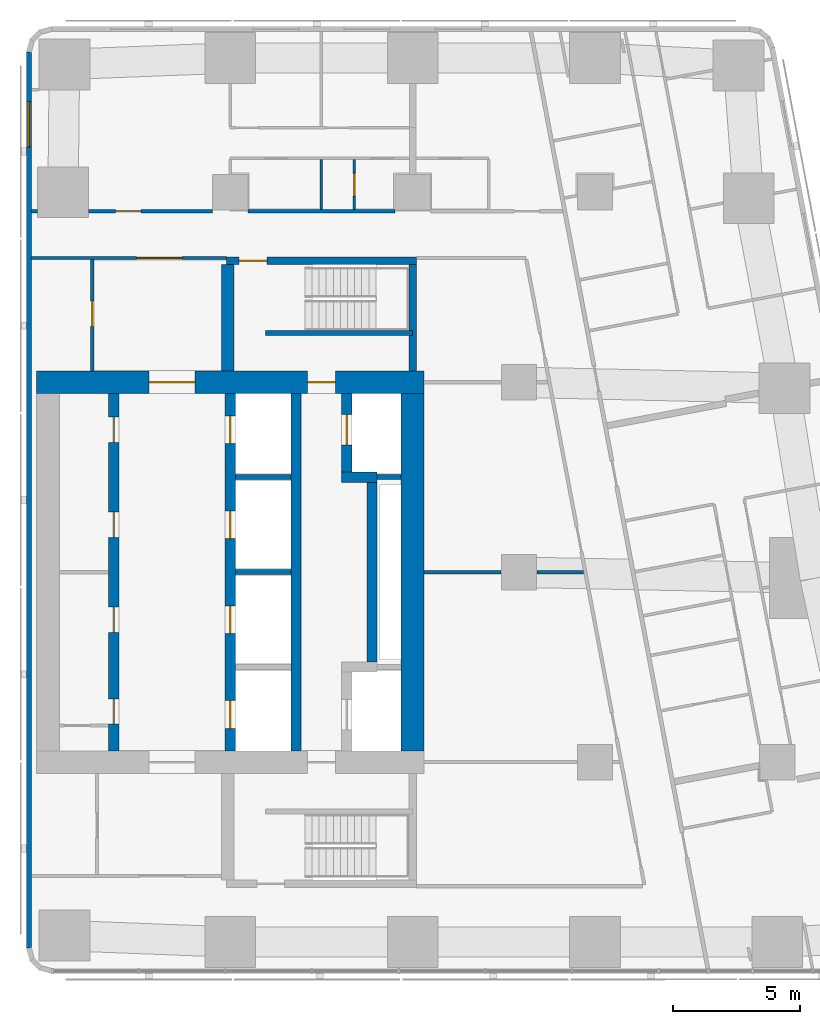
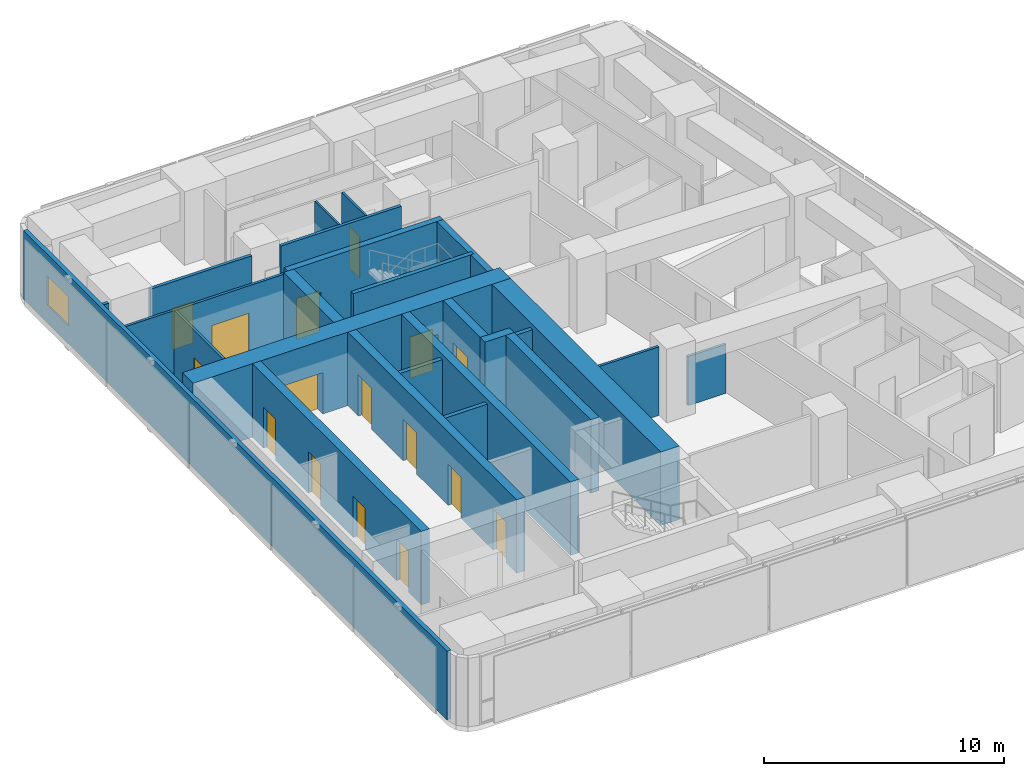
# One storey, part 6 of 11: 25 walls, 16 doors, 1 window, 17 openings.
"""IFC4 building model written with IfcOpenShell, lengths in metres."""

import ifcopenshell
import ifcopenshell.guid

model = None  # the IFC model being written
_history = None  # IfcOwnerHistory: only IFC2X3 demands one
_inside = {}  # id of a spatial element -> (the spatial element, [elements in it])
_under = {}  # id of a project, library or spatial element -> (it, [spatial elements below it])
_declared = {}  # id of a project -> (the project, [libraries it declares])
_typed = {}  # id of a type object -> (the type object, [elements of that type])
_made_of = {}  # id of a material, layer set ... -> (it, [elements and type objects made of it])


def new_model(schema):
    """Start an empty IFC model of exactly this schema.

    Asked for "IFC4X3", IfcOpenShell would pick the latest addendum, in which some entities
    have other attributes; the version numbers below select the first issue.
    IFC2X3 requires an IfcOwnerHistory on every rooted entity: one is made here for all.
    """
    global model, _history
    if schema == "IFC4X3":
        model = ifcopenshell.file(schema_version=(4, 3, 0, 0))
    else:
        model = ifcopenshell.file(schema=schema)
    _inside.clear()
    _under.clear()
    _declared.clear()
    _typed.clear()
    _made_of.clear()
    _history = None
    if model.schema == "IFC2X3":
        org = make("IfcOrganization", Name="unknown")
        user = make(
            "IfcPersonAndOrganization",
            ThePerson=make("IfcPerson", FamilyName="unknown"),
            TheOrganization=org,
        )
        app = make(
            "IfcApplication",
            ApplicationDeveloper=org,
            Version="unknown",
            ApplicationFullName="unknown",
            ApplicationIdentifier="unknown",
        )
        _history = make(
            "IfcOwnerHistory",
            OwningUser=user,
            OwningApplication=app,
            ChangeAction="ADDED",
            CreationDate=0,
        )
    return model


def make(cls, **values):
    """One entity of the class cls with the attributes given. An attribute that is None is left unset."""
    return model.create_entity(
        cls, **{name: value for name, value in values.items() if value is not None}
    )


def rooted(cls, **values):
    """An entity with a GlobalId (a new one), such as an element, a storey or a relation."""
    return make(cls, GlobalId=ifcopenshell.guid.new(), OwnerHistory=_history, **values)


def si_unit(unit_type, name, prefix=None):
    """IfcSIUnit, for example si_unit("LENGTHUNIT", "METRE", prefix="MILLI")."""
    return make("IfcSIUnit", UnitType=unit_type, Prefix=prefix, Name=name)


def assignment(units):
    """IfcUnitAssignment: the units of a project."""
    return None if units is None else make("IfcUnitAssignment", Units=units)


def point(xyz):
    """IfcCartesianPoint."""
    return None if xyz is None else make("IfcCartesianPoint", Coordinates=xyz)


def direction(xyz):
    """IfcDirection."""
    return None if xyz is None else make("IfcDirection", DirectionRatios=xyz)


def frame(location, z_axis=None, x_axis=None):
    """IfcAxis2Placement3D, a coordinate frame: its origin and axes. An axis left out is left unset."""
    return make(
        "IfcAxis2Placement3D",
        Location=point(location),
        Axis=direction(z_axis),
        RefDirection=direction(x_axis),
    )


def frame_2d(location, x_axis=None):
    """IfcAxis2Placement2D, a coordinate frame in the plane: its origin and x axis."""
    return make(
        "IfcAxis2Placement2D", Location=point(location), RefDirection=direction(x_axis)
    )


def origin():
    """The frame at (0, 0, 0) with its axes left unset."""
    return frame((0.0, 0.0, 0.0))


def place(relative_to, where):
    """IfcLocalPlacement: puts the frame where relative to a parent placement (None: the world)."""
    return make(
        "IfcLocalPlacement", PlacementRelTo=relative_to, RelativePlacement=where
    )


def context(
    kind, dimensions, precision=None, world=None, true_north=None, identifier=None
):
    """IfcGeometricRepresentationContext, for example the 3D "Model" context."""
    return make(
        "IfcGeometricRepresentationContext",
        ContextIdentifier=identifier,
        ContextType=kind,
        CoordinateSpaceDimension=dimensions,
        Precision=precision,
        WorldCoordinateSystem=world,
        TrueNorth=true_north,
    )


def subcontext(parent, identifier, kind, view, scale=None):
    """IfcGeometricRepresentationSubContext, for example "Body" below "Model"."""
    return make(
        "IfcGeometricRepresentationSubContext",
        ContextIdentifier=identifier,
        ContextType=kind,
        ParentContext=parent,
        TargetScale=scale,
        TargetView=view,
    )


def project(units=None, contexts=None):
    """IfcProject with its units and contexts."""
    return rooted(
        "IfcProject",
        Name="project",
        RepresentationContexts=contexts,
        UnitsInContext=assignment(units),
    )


def spatial(cls, under=None, at=None, **own):
    """A site, building, storey or space (cls), placed at a placement, below another one or the project."""
    s = rooted(cls, ObjectPlacement=at, **own)
    if under is not None:
        _under.setdefault(under.id(), (under, []))[1].append(s)
    return s


def profile(cls, at=None, kind="AREA", **sizes):
    """A parametric profile (cls). Its sizes go by their IFC names, for example OverallWidth=200.0."""
    return make(cls, ProfileType=kind, Position=at, **sizes)


def rectangle(**sizes):
    """IfcRectangleProfileDef."""
    return profile("IfcRectangleProfileDef", **sizes)


def extrude(swept, where, along, depth):
    """IfcExtrudedAreaSolid: the profile swept, set in the frame where, extruded along a direction by depth."""
    return make(
        "IfcExtrudedAreaSolid",
        SweptArea=swept,
        Position=where,
        ExtrudedDirection=direction(along),
        Depth=depth,
    )


def shape(context_of_items, identifier, shape_type, items):
    """IfcShapeRepresentation: the items that make up one representation, for example the "Body"."""
    return make(
        "IfcShapeRepresentation",
        ContextOfItems=context_of_items,
        RepresentationIdentifier=identifier,
        RepresentationType=shape_type,
        Items=items,
    )


def material(Name=None, Category=None):
    """IfcMaterial."""
    return make("IfcMaterial", Name=Name, Category=Category)


def layer(
    of_material, thickness, ventilated=None, Name=None, Category=None, Priority=None
):
    """IfcMaterialLayer: one layer of a wall or slab, of a material (None: an air gap)."""
    return make(
        "IfcMaterialLayer",
        Material=of_material,
        LayerThickness=thickness,
        IsVentilated=ventilated,
        Name=Name,
        Category=Category,
        Priority=Priority,
    )


def layer_set(layers, Name=None):
    """IfcMaterialLayerSet."""
    return make("IfcMaterialLayerSet", MaterialLayers=layers, LayerSetName=Name)


def made_of(thing, what):
    """Note that an element or type object is made of a material, layer set ...; save() writes the relation."""
    if what is not None:
        _made_of.setdefault(what.id(), (what, []))[1].append(thing)
    return thing


def type_object(cls, material=None, **own):
    """A type object (cls), such as IfcWallType, which elements share."""
    return made_of(rooted(cls, **own), material)


def element(
    cls,
    number,
    at=None,
    inside=None,
    cuts=None,
    type_object=None,
    material=None,
    context=None,
    identifier="Body",
    shape_type=None,
    held_by="IfcProductDefinitionShape",
    body=None,
    shapes=None,
    **own,
):
    """One element of the class cls, such as IfcWall. Its Tag is "e" and its number.

    at: its placement. inside: the storey or other place that contains it. cuts: it is an
    opening in that element (IfcRelVoidsElement). A single representation is given by context,
    identifier, shape_type and body (its items); several are given by shapes. held_by: the class
    of the entity that holds the representations. save() writes the other relations.
    """
    e = rooted(cls, Tag="e%d" % number, ObjectPlacement=at, **own)
    if body is not None:
        shapes = [shape(context, identifier, shape_type, body)]
    if shapes is not None:
        e.Representation = make(held_by, Representations=shapes)
    if inside is not None:
        _inside.setdefault(inside.id(), (inside, []))[1].append(e)
    if cuts is not None:
        rooted(
            "IfcRelVoidsElement", RelatingBuildingElement=cuts, RelatedOpeningElement=e
        )
    if type_object is not None:
        _typed.setdefault(type_object.id(), (type_object, []))[1].append(e)
    return made_of(e, material)


def fill(opening, filler):
    """IfcRelFillsElement: the door or window that sits in an opening."""
    return rooted(
        "IfcRelFillsElement",
        RelatingOpeningElement=opening,
        RelatedBuildingElement=filler,
    )


def aggregate(whole, parts):
    """IfcRelAggregates: a whole, such as a stair, and the parts it consists of."""
    return rooted("IfcRelAggregates", RelatingObject=whole, RelatedObjects=parts)


def save(model, path):
    """Write the relations noted so far, then the file.

    IfcRelAggregates (storeys below a building ...), IfcRelContainedInSpatialStructure (elements
    in a storey), IfcRelDefinesByType, IfcRelAssociatesMaterial and IfcRelDeclares: one each for
    every whole, place, type object, material and project.
    """
    for whole, parts in _under.values():
        aggregate(whole, parts)
    for where, things in _inside.values():
        rooted(
            "IfcRelContainedInSpatialStructure",
            RelatedElements=things,
            RelatingStructure=where,
        )
    for kind, things in _typed.values():
        rooted("IfcRelDefinesByType", RelatedObjects=things, RelatingType=kind)
    for what, things in _made_of.values():
        rooted("IfcRelAssociatesMaterial", RelatedObjects=things, RelatingMaterial=what)
    for by, libraries in _declared.values():
        rooted("IfcRelDeclares", RelatingContext=by, RelatedDefinitions=libraries)
    model.write(path)


model = new_model("IFC4")

# Units and contexts
model_context = context("Model", 3, precision=1e-05, world=origin(), true_north=direction((0.0, 1.0)))
body_context = subcontext(model_context, "Body", "Model", "MODEL_VIEW")
ifc_project = project(units=[si_unit("LENGTHUNIT", "METRE"), si_unit("AREAUNIT", "SQUARE_METRE"), si_unit("VOLUMEUNIT", "CUBIC_METRE"), si_unit("PLANEANGLEUNIT", "RADIAN"), si_unit("MASSUNIT", "GRAM", prefix="KILO")], contexts=[model_context])

# Site, building, storey
site_placement = place(None, origin())
site = spatial("IfcSite", under=ifc_project, at=site_placement, CompositionType="ELEMENT")
building_placement = place(site_placement, origin())
building = spatial("IfcBuilding", under=site, at=building_placement, Name="Sheger Commons Tower", CompositionType="ELEMENT")
storey_placement = place(building_placement, frame((0.0, 0.0, 281.60009765625)))
storey = spatial("IfcBuildingStorey", under=building, at=storey_placement, Name="L72", CompositionType="ELEMENT", Elevation=281.60009765625)

# Wall, openings, doors
ifc_material_1 = material(Name="Concrete C50/60", Category="concrete")
ifc_layer_1 = layer(ifc_material_1, 0.39990234375)
ifc_layer_set_1 = layer_set([ifc_layer_1], Name="CORE INNER WALL 400")
wall_type_1 = type_object("IfcWallType", Name="CORE INNER WALL 400", PredefinedType="SHEAR", material=ifc_layer_set_1)
wall_1_placement = place(storey_placement, frame((17.0, 15.449951171875, 0.0), z_axis=(0.0, 0.0, 1.0), x_axis=(0.0, 1.0, 0.0)))
wall_1 = element("IfcWall", 1, at=wall_1_placement, inside=storey, type_object=wall_type_1, Name="Core inner wall A L72", PredefinedType="SHEAR", context=body_context, shape_type="SweptSolid", body=[
    extrude(rectangle(XDim=14.10009765625, YDim=0.39990234375, at=frame_2d((7.050048828125, 0.0))), origin(), (0.0, 0.0, 1.0), 3.75),
])
opening_1_placement = place(wall_1_placement, frame((1.050048828125, 0.0, 0.0)))
opening_1 = element("IfcOpeningElement", 2, at=opening_1_placement, cuts=wall_1, Name="Opening D4", PredefinedType="OPENING", context=body_context, shape_type="SweptSolid", body=[
    extrude(rectangle(XDim=1.0, YDim=2.10009765625, at=frame_2d((0.5, 1.050048828125))), frame((0.0, 0.2099609375, 0.0), z_axis=(0.0, -1.0, 0.0), x_axis=(1.0, 0.0, 0.0)), (0.0, 0.0, 1.0), 0.419921875),
])
opening_2_placement = place(wall_1_placement, frame((4.675048828125, 0.0, 0.0)))
opening_2 = element("IfcOpeningElement", 3, at=opening_2_placement, cuts=wall_1, Name="Opening D4", PredefinedType="OPENING", context=body_context, shape_type="SweptSolid", body=[
    extrude(rectangle(XDim=1.0, YDim=2.10009765625, at=frame_2d((0.5, 1.050048828125))), frame((0.0, 0.2099609375, 0.0), z_axis=(0.0, -1.0, 0.0), x_axis=(1.0, 0.0, 0.0)), (0.0, 0.0, 1.0), 0.419921875),
])
opening_3_placement = place(wall_1_placement, frame((8.425048828125, 0.0, 0.0)))
opening_3 = element("IfcOpeningElement", 4, at=opening_3_placement, cuts=wall_1, Name="Opening D4", PredefinedType="OPENING", context=body_context, shape_type="SweptSolid", body=[
    extrude(rectangle(XDim=1.0, YDim=2.10009765625, at=frame_2d((0.5, 1.050048828125))), frame((0.0, 0.2099609375, 0.0), z_axis=(0.0, -1.0, 0.0), x_axis=(1.0, 0.0, 0.0)), (0.0, 0.0, 1.0), 0.419921875),
])
opening_4_placement = place(wall_1_placement, frame((12.175048828125, 0.0, 0.0)))
opening_4 = element("IfcOpeningElement", 5, at=opening_4_placement, cuts=wall_1, Name="Opening D4", PredefinedType="OPENING", context=body_context, shape_type="SweptSolid", body=[
    extrude(rectangle(XDim=1.0, YDim=2.10009765625, at=frame_2d((0.5, 1.050048828125))), frame((0.0, 0.2099609375, 0.0), z_axis=(0.0, -1.0, 0.0), x_axis=(1.0, 0.0, 0.0)), (0.0, 0.0, 1.0), 0.419921875),
])
ifc_material_2 = material(Name="Steel door set, fire rated", Category="steel")
door_type_1 = type_object("IfcDoorType", Name="SERVICE DOOR 1000x2100", OperationType="NOTDEFINED", PredefinedType="DOOR", material=ifc_material_2)
door_1_placement = place(opening_1_placement, origin())
door_1 = element("IfcDoor", 6, at=door_1_placement, inside=storey, type_object=door_type_1, Name="Residents' bulky goods store door", OperationType="SINGLE_SWING_LEFT", OverallHeight=2.10009765625, OverallWidth=1.0, PredefinedType="DOOR", context=body_context, shape_type="SweptSolid", body=[
    extrude(rectangle(XDim=1.0, YDim=2.10009765625, at=frame_2d((0.5, 1.050048828125))), frame((0.0, 0.02490234375, 0.0), z_axis=(0.0, -1.0, 0.0), x_axis=(1.0, 0.0, 0.0)), (0.0, 0.0, 1.0), 0.050048828125),
])
fill(opening_1, door_1)
door_2_placement = place(opening_2_placement, origin())
door_2 = element("IfcDoor", 7, at=door_2_placement, inside=storey, type_object=door_type_1, Name="Residents' bulky goods store door", OperationType="SINGLE_SWING_RIGHT", OverallHeight=2.10009765625, OverallWidth=1.0, PredefinedType="DOOR", context=body_context, shape_type="SweptSolid", body=[
    extrude(rectangle(XDim=1.0, YDim=2.10009765625, at=frame_2d((0.5, 1.050048828125))), frame((0.0, 0.02490234375, 0.0), z_axis=(0.0, -1.0, 0.0), x_axis=(1.0, 0.0, 0.0)), (0.0, 0.0, 1.0), 0.050048828125),
])
fill(opening_2, door_2)
door_3_placement = place(opening_3_placement, origin())
door_3 = element("IfcDoor", 8, at=door_3_placement, inside=storey, type_object=door_type_1, Name="Maintenance workshop door", OperationType="SINGLE_SWING_LEFT", OverallHeight=2.10009765625, OverallWidth=1.0, PredefinedType="DOOR", context=body_context, shape_type="SweptSolid", body=[
    extrude(rectangle(XDim=1.0, YDim=2.10009765625, at=frame_2d((0.5, 1.050048828125))), frame((0.0, 0.02490234375, 0.0), z_axis=(0.0, -1.0, 0.0), x_axis=(1.0, 0.0, 0.0)), (0.0, 0.0, 1.0), 0.050048828125),
])
fill(opening_3, door_3)
door_4_placement = place(opening_4_placement, origin())
door_4 = element("IfcDoor", 9, at=door_4_placement, inside=storey, type_object=door_type_1, Name="Maintenance workshop door", OperationType="SINGLE_SWING_RIGHT", OverallHeight=2.10009765625, OverallWidth=1.0, PredefinedType="DOOR", context=body_context, shape_type="SweptSolid", body=[
    extrude(rectangle(XDim=1.0, YDim=2.10009765625, at=frame_2d((0.5, 1.050048828125))), frame((0.0, 0.02490234375, 0.0), z_axis=(0.0, -1.0, 0.0), x_axis=(1.0, 0.0, 0.0)), (0.0, 0.0, 1.0), 0.050048828125),
])
fill(opening_4, door_4)

wall_2_placement = place(storey_placement, frame((21.60009765625, 15.449951171875, 0.0), z_axis=(0.0, 0.0, 1.0), x_axis=(0.0, 1.0, 0.0)))
wall_2 = element("IfcWall", 10, at=wall_2_placement, inside=storey, type_object=wall_type_1, Name="Core inner wall L L72", PredefinedType="SHEAR", context=body_context, shape_type="SweptSolid", body=[
    extrude(rectangle(XDim=14.10009765625, YDim=0.39990234375, at=frame_2d((7.050048828125, 0.0))), origin(), (0.0, 0.0, 1.0), 3.75),
])
opening_5_placement = place(wall_2_placement, frame((0.875, 0.0, 0.0)))
opening_5 = element("IfcOpeningElement", 11, at=opening_5_placement, cuts=wall_2, Name="Opening LD", PredefinedType="OPENING", context=body_context, shape_type="SweptSolid", body=[
    extrude(rectangle(XDim=1.10009765625, YDim=2.10009765625, at=frame_2d((0.550048828125, 1.050048828125))), frame((0.0, 0.2099609375, 0.0), z_axis=(0.0, -1.0, 0.0), x_axis=(1.0, 0.0, 0.0)), (0.0, 0.0, 1.0), 0.419921875),
])
opening_6_placement = place(wall_2_placement, frame((4.625, 0.0, 0.0)))
opening_6 = element("IfcOpeningElement", 12, at=opening_6_placement, cuts=wall_2, Name="Opening LD", PredefinedType="OPENING", context=body_context, shape_type="SweptSolid", body=[
    extrude(rectangle(XDim=1.10009765625, YDim=2.10009765625, at=frame_2d((0.550048828125, 1.050048828125))), frame((0.0, 0.2099609375, 0.0), z_axis=(0.0, -1.0, 0.0), x_axis=(1.0, 0.0, 0.0)), (0.0, 0.0, 1.0), 0.419921875),
])
opening_7_placement = place(wall_2_placement, frame((8.375, 0.0, 0.0)))
opening_7 = element("IfcOpeningElement", 13, at=opening_7_placement, cuts=wall_2, Name="Opening LD", PredefinedType="OPENING", context=body_context, shape_type="SweptSolid", body=[
    extrude(rectangle(XDim=1.10009765625, YDim=2.10009765625, at=frame_2d((0.550048828125, 1.050048828125))), frame((0.0, 0.2099609375, 0.0), z_axis=(0.0, -1.0, 0.0), x_axis=(1.0, 0.0, 0.0)), (0.0, 0.0, 1.0), 0.419921875),
])
opening_8_placement = place(wall_2_placement, frame((12.125, 0.0, 0.0)))
opening_8 = element("IfcOpeningElement", 14, at=opening_8_placement, cuts=wall_2, Name="Opening LD", PredefinedType="OPENING", context=body_context, shape_type="SweptSolid", body=[
    extrude(rectangle(XDim=1.10009765625, YDim=2.10009765625, at=frame_2d((0.550048828125, 1.050048828125))), frame((0.0, 0.2099609375, 0.0), z_axis=(0.0, -1.0, 0.0), x_axis=(1.0, 0.0, 0.0)), (0.0, 0.0, 1.0), 0.419921875),
])
ifc_material_3 = material(Name="Steel door set, fire rated", Category="steel")
door_type_2 = type_object("IfcDoorType", Name="LIFT LANDING DOOR 1100x2100", OperationType="DOUBLE_DOOR_SLIDING", PredefinedType="DOOR", material=ifc_material_3)
door_5_placement = place(opening_5_placement, origin())
door_5 = element("IfcDoor", 15, at=door_5_placement, inside=storey, type_object=door_type_2, Name="Lift LB1 landing door", OperationType="DOUBLE_DOOR_SLIDING", OverallHeight=2.10009765625, OverallWidth=1.10009765625, PredefinedType="DOOR", context=body_context, shape_type="SweptSolid", body=[
    extrude(rectangle(XDim=1.10009765625, YDim=2.10009765625, at=frame_2d((0.550048828125, 1.050048828125))), frame((0.0, 0.02490234375, 0.0), z_axis=(0.0, -1.0, 0.0), x_axis=(1.0, 0.0, 0.0)), (0.0, 0.0, 1.0), 0.050048828125),
])
fill(opening_5, door_5)
door_6_placement = place(opening_6_placement, origin())
door_6 = element("IfcDoor", 16, at=door_6_placement, inside=storey, type_object=door_type_2, Name="Lift LB2 landing door", OperationType="DOUBLE_DOOR_SLIDING", OverallHeight=2.10009765625, OverallWidth=1.10009765625, PredefinedType="DOOR", context=body_context, shape_type="SweptSolid", body=[
    extrude(rectangle(XDim=1.10009765625, YDim=2.10009765625, at=frame_2d((0.550048828125, 1.050048828125))), frame((0.0, 0.02490234375, 0.0), z_axis=(0.0, -1.0, 0.0), x_axis=(1.0, 0.0, 0.0)), (0.0, 0.0, 1.0), 0.050048828125),
])
fill(opening_6, door_6)
door_7_placement = place(opening_7_placement, origin())
door_7 = element("IfcDoor", 17, at=door_7_placement, inside=storey, type_object=door_type_2, Name="Lift LB3 landing door", OperationType="DOUBLE_DOOR_SLIDING", OverallHeight=2.10009765625, OverallWidth=1.10009765625, PredefinedType="DOOR", context=body_context, shape_type="SweptSolid", body=[
    extrude(rectangle(XDim=1.10009765625, YDim=2.10009765625, at=frame_2d((0.550048828125, 1.050048828125))), frame((0.0, 0.02490234375, 0.0), z_axis=(0.0, -1.0, 0.0), x_axis=(1.0, 0.0, 0.0)), (0.0, 0.0, 1.0), 0.050048828125),
])
fill(opening_7, door_7)
door_8_placement = place(opening_8_placement, origin())
door_8 = element("IfcDoor", 18, at=door_8_placement, inside=storey, type_object=door_type_2, Name="Lift LB4 landing door", OperationType="DOUBLE_DOOR_SLIDING", OverallHeight=2.10009765625, OverallWidth=1.10009765625, PredefinedType="DOOR", context=body_context, shape_type="SweptSolid", body=[
    extrude(rectangle(XDim=1.10009765625, YDim=2.10009765625, at=frame_2d((0.550048828125, 1.050048828125))), frame((0.0, 0.02490234375, 0.0), z_axis=(0.0, -1.0, 0.0), x_axis=(1.0, 0.0, 0.0)), (0.0, 0.0, 1.0), 0.050048828125),
])
fill(opening_8, door_8)

# Walls
wall_3_placement = place(storey_placement, frame((24.199951171875, 15.449951171875, 0.0), z_axis=(0.0, 0.0, 1.0), x_axis=(0.0, 1.0, 0.0)))
element("IfcWall", 19, at=wall_3_placement, inside=storey, type_object=wall_type_1, Name="Core inner wall B L72", PredefinedType="SHEAR", context=body_context, shape_type="SweptSolid", body=[
    extrude(rectangle(XDim=14.10009765625, YDim=0.39990234375, at=frame_2d((7.050048828125, 0.0))), origin(), (0.0, 0.0, 1.0), 3.75),
])
wall_4_placement = place(storey_placement, frame((27.199951171875, 18.949951171875, 0.0), z_axis=(0.0, 0.0, 1.0), x_axis=(0.0, 1.0, 0.0)))
element("IfcWall", 20, at=wall_4_placement, inside=storey, type_object=wall_type_1, Name="Core inner wall F middle L72", PredefinedType="SHEAR", context=body_context, shape_type="SweptSolid", body=[
    extrude(rectangle(XDim=7.10009765625, YDim=0.39990234375, at=frame_2d((3.550048828125, 0.0))), origin(), (0.0, 0.0, 1.0), 3.75),
])
wall_5_placement = place(storey_placement, frame((26.0, 26.25, 0.0), z_axis=(0.0, 0.0, 1.0), x_axis=(1.0, 0.0, 0.0)))
element("IfcWall", 21, at=wall_5_placement, inside=storey, type_object=wall_type_1, Name="Core inner wall F north return L72", PredefinedType="SHEAR", context=body_context, shape_type="SweptSolid", body=[
    extrude(rectangle(XDim=1.39990234375, YDim=0.39990234375, at=frame_2d((0.699951171875, 0.0))), origin(), (0.0, 0.0, 1.0), 3.75),
])

# Wall, opening, door
wall_6_placement = place(storey_placement, frame((26.199951171875, 26.449951171875, 0.0), z_axis=(0.0, 0.0, 1.0), x_axis=(0.0, 1.0, 0.0)))
wall_6 = element("IfcWall", 22, at=wall_6_placement, inside=storey, type_object=wall_type_1, Name="Core inner wall F north L72", PredefinedType="SHEAR", context=body_context, shape_type="SweptSolid", body=[
    extrude(rectangle(XDim=3.10009765625, YDim=0.39990234375, at=frame_2d((1.550048828125, 0.0))), origin(), (0.0, 0.0, 1.0), 3.75),
])
opening_9_placement = place(wall_6_placement, frame((1.074951171875, 0.0, 0.0)))
opening_9 = element("IfcOpeningElement", 23, at=opening_9_placement, cuts=wall_6, Name="Opening LD2", PredefinedType="OPENING", context=body_context, shape_type="SweptSolid", body=[
    extrude(rectangle(XDim=1.199951171875, YDim=2.10009765625, at=frame_2d((0.60009765625, 1.050048828125))), frame((0.0, 0.2099609375, 0.0), z_axis=(0.0, -1.0, 0.0), x_axis=(1.0, 0.0, 0.0)), (0.0, 0.0, 1.0), 0.419921875),
])
ifc_material_4 = material(Name="Steel door set, fire rated", Category="steel")
door_type_3 = type_object("IfcDoorType", Name="FIREFIGHTING LIFT LANDING DOOR 1200x2100", OperationType="DOUBLE_DOOR_SLIDING", PredefinedType="DOOR", material=ifc_material_4)
door_9_placement = place(opening_9_placement, origin())
door_9 = element("IfcDoor", 24, at=door_9_placement, inside=storey, type_object=door_type_3, Name="Lift FL2 landing door", OperationType="DOUBLE_DOOR_SLIDING", OverallHeight=2.10009765625, OverallWidth=1.199951171875, PredefinedType="DOOR", context=body_context, shape_type="SweptSolid", body=[
    extrude(rectangle(XDim=1.199951171875, YDim=2.10009765625, at=frame_2d((0.60009765625, 1.050048828125))), frame((0.0, 0.02490234375, 0.0), z_axis=(0.0, -1.0, 0.0), x_axis=(1.0, 0.0, 0.0)), (0.0, 0.0, 1.0), 0.050048828125),
])
fill(opening_9, door_9)

# Wall, openings, doors
ifc_material_5 = material(Name="Concrete C50/60", Category="concrete")
ifc_layer_2 = layer(ifc_material_5, 0.89990234375)
ifc_layer_set_2 = layer_set([ifc_layer_2], Name="CORE WALL 900")
wall_type_2 = type_object("IfcWallType", Name="CORE WALL 900", PredefinedType="SHEAR", material=ifc_layer_set_2)
wall_7_placement = place(storey_placement, frame((13.949951171875, 30.0, 0.0), z_axis=(0.0, 0.0, 1.0), x_axis=(1.0, 0.0, 0.0)))
wall_7 = element("IfcWall", 25, at=wall_7_placement, inside=storey, type_object=wall_type_2, Name="Core wall north L72", PredefinedType="SHEAR", context=body_context, shape_type="SweptSolid", body=[
    extrude(rectangle(XDim=15.300048828125, YDim=0.89990234375, at=frame_2d((7.64990234375, 0.0))), origin(), (0.0, 0.0, 1.0), 3.75),
])
opening_10_placement = place(wall_7_placement, frame((4.449951171875, 0.0, 0.0)))
opening_10 = element("IfcOpeningElement", 26, at=opening_10_placement, cuts=wall_7, Name="Opening D6", PredefinedType="OPENING", context=body_context, shape_type="SweptSolid", body=[
    extrude(rectangle(XDim=1.800048828125, YDim=2.10009765625, at=frame_2d((0.89990234375, 1.050048828125))), frame((0.0, 0.4599609375, 0.0), z_axis=(0.0, -1.0, 0.0), x_axis=(1.0, 0.0, 0.0)), (0.0, 0.0, 1.0), 0.919921875),
])
opening_11_placement = place(wall_7_placement, frame((10.699951171875, 0.0, 0.0)))
opening_11 = element("IfcOpeningElement", 27, at=opening_11_placement, cuts=wall_7, Name="Opening D5", PredefinedType="OPENING", context=body_context, shape_type="SweptSolid", body=[
    extrude(rectangle(XDim=1.10009765625, YDim=2.10009765625, at=frame_2d((0.550048828125, 1.050048828125))), frame((0.0, 0.4599609375, 0.0), z_axis=(0.0, -1.0, 0.0), x_axis=(1.0, 0.0, 0.0)), (0.0, 0.0, 1.0), 0.919921875),
])
ifc_material_6 = material(Name="Steel door set, fire rated", Category="steel")
door_type_4 = type_object("IfcDoorType", Name="LOBBY DOUBLE DOOR 1800x2100", OperationType="DOUBLE_DOOR_SINGLE_SWING", PredefinedType="DOOR", material=ifc_material_6)
door_10_placement = place(opening_10_placement, origin())
door_10 = element("IfcDoor", 28, at=door_10_placement, inside=storey, type_object=door_type_4, Name="Lift lobby door", OperationType="DOUBLE_DOOR_SINGLE_SWING", OverallHeight=2.10009765625, OverallWidth=1.800048828125, PredefinedType="DOOR", context=body_context, shape_type="SweptSolid", body=[
    extrude(rectangle(XDim=1.800048828125, YDim=2.10009765625, at=frame_2d((0.89990234375, 1.050048828125))), frame((0.0, 0.02490234375, 0.0), z_axis=(0.0, -1.0, 0.0), x_axis=(1.0, 0.0, 0.0)), (0.0, 0.0, 1.0), 0.050048828125),
])
fill(opening_10, door_10)
ifc_material_7 = material(Name="Steel door set, fire rated", Category="steel")
door_type_5 = type_object("IfcDoorType", Name="STAIR DOOR 1100x2100", OperationType="NOTDEFINED", PredefinedType="DOOR", material=ifc_material_7)
door_11_placement = place(opening_11_placement, origin())
door_11 = element("IfcDoor", 29, at=door_11_placement, inside=storey, type_object=door_type_5, Name="Fire-fighting lobby door", OperationType="SINGLE_SWING_RIGHT", OverallHeight=2.10009765625, OverallWidth=1.10009765625, PredefinedType="DOOR", context=body_context, shape_type="SweptSolid", body=[
    extrude(rectangle(XDim=1.10009765625, YDim=2.10009765625, at=frame_2d((0.550048828125, 1.050048828125))), frame((0.0, 0.02490234375, 0.0), z_axis=(0.0, -1.0, 0.0), x_axis=(1.0, 0.0, 0.0)), (0.0, 0.0, 1.0), 0.050048828125),
])
fill(opening_11, door_11)

# Walls
wall_8_placement = place(storey_placement, frame((28.800048828125, 15.449951171875, 0.0), z_axis=(0.0, 0.0, 1.0), x_axis=(0.0, 1.0, 0.0)))
element("IfcWall", 30, at=wall_8_placement, inside=storey, type_object=wall_type_2, Name="Core wall east L72", PredefinedType="SHEAR", context=body_context, shape_type="SweptSolid", body=[
    extrude(rectangle(XDim=14.10009765625, YDim=0.89990234375, at=frame_2d((7.050048828125, 0.0))), origin(), (0.0, 0.0, 1.0), 3.75),
])
ifc_material_8 = material(Name="Hollow concrete block masonry, skimmed both sides", Category="masonry")
ifc_layer_3 = layer(ifc_material_8, 0.14990234375)
ifc_layer_set_3 = layer_set([ifc_layer_3], Name="CORRIDOR WALL 150")
wall_type_3 = type_object("IfcWallType", Name="CORRIDOR WALL 150", PredefinedType="SOLIDWALL", material=ifc_layer_set_3)
wall_9_placement = place(storey_placement, frame((13.75, 36.75, 0.0), z_axis=(0.0, 0.0, 1.0), x_axis=(1.0, 0.0, 0.0)))
element("IfcWall", 31, at=wall_9_placement, inside=storey, type_object=wall_type_3, Name="Corridor wall L72", PredefinedType="SOLIDWALL", context=body_context, shape_type="SweptSolid", body=[
    extrude(rectangle(XDim=0.2490234375, YDim=0.14990234375, at=frame_2d((0.12451171875, 0.0))), origin(), (0.0, 0.0, 1.0), 3.5),
])

# Wall, opening, door
wall_10_placement = place(storey_placement, frame((16.0009765625, 36.75, 0.0), z_axis=(0.0, 0.0, 1.0), x_axis=(1.0, 0.0, 0.0)))
wall_10 = element("IfcWall", 32, at=wall_10_placement, inside=storey, type_object=wall_type_3, Name="Corridor wall L72", PredefinedType="SOLIDWALL", context=body_context, shape_type="SweptSolid", body=[
    extrude(rectangle(XDim=4.89794921875, YDim=0.14990234375, at=frame_2d((2.448974609375, 0.0))), origin(), (0.0, 0.0, 1.0), 3.5),
])
opening_12_placement = place(wall_10_placement, frame((1.073974609375, 0.0, 0.0)))
opening_12 = element("IfcOpeningElement", 33, at=opening_12_placement, cuts=wall_10, Name="Opening D1", PredefinedType="OPENING", context=body_context, shape_type="SweptSolid", body=[
    extrude(rectangle(XDim=1.0, YDim=2.10009765625, at=frame_2d((0.5, 1.050048828125))), frame((0.0, 0.0849609375, 0.0), z_axis=(0.0, -1.0, 0.0), x_axis=(1.0, 0.0, 0.0)), (0.0, 0.0, 1.0), 0.169921875),
])
ifc_material_9 = material(Name="Steel door set, fire rated", Category="steel")
door_type_6 = type_object("IfcDoorType", Name="FLAT ENTRANCE DOOR 1000x2100", OperationType="NOTDEFINED", PredefinedType="DOOR", material=ifc_material_9)
door_12_placement = place(opening_12_placement, origin())
door_12 = element("IfcDoor", 34, at=door_12_placement, inside=storey, type_object=door_type_6, Name="Flat entrance door", OperationType="SINGLE_SWING_LEFT", OverallHeight=2.10009765625, OverallWidth=1.0, PredefinedType="DOOR", context=body_context, shape_type="SweptSolid", body=[
    extrude(rectangle(XDim=1.0, YDim=2.10009765625, at=frame_2d((0.5, 1.050048828125))), frame((0.0, 0.02490234375, 0.0), z_axis=(0.0, -1.0, 0.0), x_axis=(1.0, 0.0, 0.0)), (0.0, 0.0, 1.0), 0.050048828125),
])
fill(opening_12, door_12)

# Wall
wall_11_placement = place(storey_placement, frame((22.301025390625, 36.75, 0.0), z_axis=(0.0, 0.0, 1.0), x_axis=(1.0, 0.0, 0.0)))
element("IfcWall", 35, at=wall_11_placement, inside=storey, type_object=wall_type_3, Name="Corridor wall L72", PredefinedType="SOLIDWALL", context=body_context, shape_type="SweptSolid", body=[
    extrude(rectangle(XDim=5.798095703125, YDim=0.14990234375, at=frame_2d((2.89892578125, 0.0))), origin(), (0.0, 0.0, 1.0), 3.5),
])

# Wall, opening, window
ifc_material_10 = material(Name="Rendered concrete block masonry, dark grey", Category="masonry")
ifc_layer_4 = layer(ifc_material_10, 0.199951171875)
ifc_layer_set_4 = layer_set([ifc_layer_4], Name="FACADE WALL 200")
wall_type_4 = type_object("IfcWallType", Name="FACADE WALL 200", PredefinedType="SOLIDWALL", material=ifc_layer_set_4)
wall_12_placement = place(storey_placement, frame((13.64990234375, 43.037109375, 0.0), z_axis=(0.0, 0.0, 1.0), x_axis=(0.0, -1.0, 0.0)))
wall_12 = element("IfcWall", 36, at=wall_12_placement, inside=storey, type_object=wall_type_4, Name="Facade wall L72", PredefinedType="SOLIDWALL", context=body_context, shape_type="SweptSolid", body=[
    extrude(rectangle(XDim=35.3740234375, YDim=0.199951171875, at=frame_2d((17.68701171875, 0.0))), origin(), (0.0, 0.0, 1.0), 3.5),
])
opening_13_placement = place(wall_12_placement, frame((1.958984375, 0.0, 0.89990234375)))
opening_13 = element("IfcOpeningElement", 37, at=opening_13_placement, cuts=wall_12, Name="Opening W2", PredefinedType="OPENING", context=body_context, shape_type="SweptSolid", body=[
    extrude(rectangle(XDim=1.800048828125, YDim=1.5, at=frame_2d((0.89990234375, 0.75))), frame((0.0, 0.10986328125, 0.0), z_axis=(0.0, -1.0, 0.0), x_axis=(1.0, 0.0, 0.0)), (0.0, 0.0, 1.0), 0.219970703125),
])
ifc_material_11 = material(Name="Black aluminium frame, dark tinted double glazing", Category="aluminium")
window_type = type_object("IfcWindowType", Name="WINDOW W2 1800x1500", PartitioningType="SINGLE_PANEL", PredefinedType="WINDOW", material=ifc_material_11)
window_placement = place(opening_13_placement, origin())
window = element("IfcWindow", 38, at=window_placement, inside=storey, type_object=window_type, Name="Window W2 1800X1500", OverallHeight=1.5, OverallWidth=1.800048828125, PartitioningType="SINGLE_PANEL", PredefinedType="WINDOW", context=body_context, shape_type="SweptSolid", body=[
    extrude(rectangle(XDim=1.800048828125, YDim=1.5, at=frame_2d((0.89990234375, 0.75))), frame((0.0, 0.030029296875, 0.0), z_axis=(0.0, -1.0, 0.0), x_axis=(1.0, 0.0, 0.0)), (0.0, 0.0, 1.0), 0.06005859375),
])
fill(opening_13, window)

# Wall
ifc_material_12 = material(Name="Gypsum board on steel studs", Category="steel")
ifc_layer_5 = layer(ifc_material_12, 0.10009765625)
ifc_layer_set_5 = layer_set([ifc_layer_5], Name="PARTITION 100")
wall_type_5 = type_object("IfcWallType", Name="PARTITION 100", PredefinedType="PARTITIONING", material=ifc_layer_set_5)
wall_13_placement = place(storey_placement, frame((25.199951171875, 36.824951171875, 0.0), z_axis=(0.0, 0.0, 1.0), x_axis=(0.0, 1.0, 0.0)))
element("IfcWall", 39, at=wall_13_placement, inside=storey, type_object=wall_type_5, Name="Partition L72", PredefinedType="PARTITIONING", context=body_context, shape_type="SweptSolid", body=[
    extrude(rectangle(XDim=1.97509765625, YDim=0.10009765625, at=frame_2d((0.987548828125, 0.0))), origin(), (0.0, 0.0, 1.0), 3.5),
])

# Wall, opening, door
wall_14_placement = place(storey_placement, frame((26.5, 36.824951171875, 0.0), z_axis=(0.0, 0.0, 1.0), x_axis=(0.0, 1.0, 0.0)))
wall_14 = element("IfcWall", 40, at=wall_14_placement, inside=storey, type_object=wall_type_5, Name="Partition L72", PredefinedType="PARTITIONING", context=body_context, shape_type="SweptSolid", body=[
    extrude(rectangle(XDim=1.97509765625, YDim=0.10009765625, at=frame_2d((0.987548828125, 0.0))), origin(), (0.0, 0.0, 1.0), 3.5),
])
opening_14_placement = place(wall_14_placement, frame((0.52490234375, 0.0, 0.0)))
opening_14 = element("IfcOpeningElement", 41, at=opening_14_placement, cuts=wall_14, Name="Opening D2", PredefinedType="OPENING", context=body_context, shape_type="SweptSolid", body=[
    extrude(rectangle(XDim=0.89990234375, YDim=2.10009765625, at=frame_2d((0.449951171875, 1.050048828125))), frame((0.0, 0.06005859375, 0.0), z_axis=(0.0, -1.0, 0.0), x_axis=(1.0, 0.0, 0.0)), (0.0, 0.0, 1.0), 0.1201171875),
])
ifc_material_13 = material(Name="Timber door set", Category="wood")
door_type_7 = type_object("IfcDoorType", Name="INTERNAL DOOR 900x2100", OperationType="NOTDEFINED", PredefinedType="DOOR", material=ifc_material_13)
door_13_placement = place(opening_14_placement, origin())
door_13 = element("IfcDoor", 42, at=door_13_placement, inside=storey, type_object=door_type_7, Name="Linen store door", OperationType="SINGLE_SWING_RIGHT", OverallHeight=2.10009765625, OverallWidth=0.89990234375, PredefinedType="DOOR", context=body_context, shape_type="SweptSolid", body=[
    extrude(rectangle(XDim=0.89990234375, YDim=2.10009765625, at=frame_2d((0.449951171875, 1.050048828125))), frame((0.0, 0.02490234375, 0.0), z_axis=(0.0, -1.0, 0.0), x_axis=(1.0, 0.0, 0.0)), (0.0, 0.0, 1.0), 0.050048828125),
])
fill(opening_14, door_13)

ifc_material_14 = material(Name="Gypsum board on steel studs, two layers each side, fire rated", Category="steel")
ifc_layer_6 = layer(ifc_material_14, 0.125)
ifc_layer_set_6 = layer_set([ifc_layer_6], Name="SERVICE WALL 125")
wall_type_6 = type_object("IfcWallType", Name="SERVICE WALL 125", PredefinedType="PARTITIONING", material=ifc_layer_set_6)
wall_15_placement = place(storey_placement, frame((13.75, 34.89990234375, 0.0), z_axis=(0.0, 0.0, 1.0), x_axis=(1.0, 0.0, 0.0)))
wall_15 = element("IfcWall", 43, at=wall_15_placement, inside=storey, type_object=wall_type_6, Name="Service room wall L72", PredefinedType="PARTITIONING", context=body_context, shape_type="SweptSolid", body=[
    extrude(rectangle(XDim=7.699951171875, YDim=0.125, at=frame_2d((3.85009765625, 0.0))), origin(), (0.0, 0.0, 1.0), 3.5),
])
opening_15_placement = place(wall_15_placement, frame((4.14990234375, 0.0, 0.0)))
opening_15 = element("IfcOpeningElement", 44, at=opening_15_placement, cuts=wall_15, Name="Opening D6", PredefinedType="OPENING", context=body_context, shape_type="SweptSolid", body=[
    extrude(rectangle(XDim=1.800048828125, YDim=2.10009765625, at=frame_2d((0.89990234375, 1.050048828125))), frame((0.0, 0.072509765625, 0.0), z_axis=(0.0, -1.0, 0.0), x_axis=(1.0, 0.0, 0.0)), (0.0, 0.0, 1.0), 0.14501953125),
])
door_14_placement = place(opening_15_placement, origin())
door_14 = element("IfcDoor", 45, at=door_14_placement, inside=storey, type_object=door_type_4, Name="Lift lobby north door", OperationType="DOUBLE_DOOR_SINGLE_SWING", OverallHeight=2.10009765625, OverallWidth=1.800048828125, PredefinedType="DOOR", context=body_context, shape_type="SweptSolid", body=[
    extrude(rectangle(XDim=1.800048828125, YDim=2.10009765625, at=frame_2d((0.89990234375, 1.050048828125))), frame((0.0, 0.02490234375, 0.0), z_axis=(0.0, -1.0, 0.0), x_axis=(1.0, 0.0, 0.0)), (0.0, 0.0, 1.0), 0.050048828125),
])
fill(opening_15, door_14)

wall_16_placement = place(storey_placement, frame((16.14990234375, 30.449951171875, 0.0), z_axis=(0.0, 0.0, 1.0), x_axis=(0.0, 1.0, 0.0)))
wall_16 = element("IfcWall", 46, at=wall_16_placement, inside=storey, type_object=wall_type_6, Name="Service room wall L72", PredefinedType="PARTITIONING", context=body_context, shape_type="SweptSolid", body=[
    extrude(rectangle(XDim=4.386962890625, YDim=0.125, at=frame_2d((2.193359375, 0.0))), origin(), (0.0, 0.0, 1.0), 3.5),
])
opening_16_placement = place(wall_16_placement, frame((1.75, 0.0, 0.0)))
opening_16 = element("IfcOpeningElement", 47, at=opening_16_placement, cuts=wall_16, Name="Opening D4", PredefinedType="OPENING", context=body_context, shape_type="SweptSolid", body=[
    extrude(rectangle(XDim=1.0, YDim=2.10009765625, at=frame_2d((0.5, 1.050048828125))), frame((0.0, 0.072509765625, 0.0), z_axis=(0.0, -1.0, 0.0), x_axis=(1.0, 0.0, 0.0)), (0.0, 0.0, 1.0), 0.14501953125),
])
door_15_placement = place(opening_16_placement, origin())
door_15 = element("IfcDoor", 48, at=door_15_placement, inside=storey, type_object=door_type_1, Name="Telecom room door", OperationType="SINGLE_SWING_RIGHT", OverallHeight=2.10009765625, OverallWidth=1.0, PredefinedType="DOOR", context=body_context, shape_type="SweptSolid", body=[
    extrude(rectangle(XDim=1.0, YDim=2.10009765625, at=frame_2d((0.5, 1.050048828125))), frame((0.0, 0.02490234375, 0.0), z_axis=(0.0, -1.0, 0.0), x_axis=(1.0, 0.0, 0.0)), (0.0, 0.0, 1.0), 0.050048828125),
])
fill(opening_16, door_15)

# Walls
wall_17_placement = place(storey_placement, frame((29.25, 22.5, 0.0), z_axis=(0.0, 0.0, 1.0), x_axis=(1.0, 0.0, 0.0)))
element("IfcWall", 49, at=wall_17_placement, inside=storey, type_object=wall_type_6, Name="Service room wall L72", PredefinedType="PARTITIONING", context=body_context, shape_type="SweptSolid", body=[
    extrude(rectangle(XDim=3.049072265625, YDim=0.125, at=frame_2d((1.5244140625, 0.0))), origin(), (0.0, 0.0, 1.0), 3.5),
])
wall_18_placement = place(storey_placement, frame((33.700927734375, 22.5, 0.0), z_axis=(0.0, 0.0, 1.0), x_axis=(1.0, 0.0, 0.0)))
element("IfcWall", 50, at=wall_18_placement, inside=storey, type_object=wall_type_6, Name="Service room wall L72", PredefinedType="PARTITIONING", context=body_context, shape_type="SweptSolid", body=[
    extrude(rectangle(XDim=1.841064453125, YDim=0.125, at=frame_2d((0.92041015625, 0.0))), origin(), (0.0, 0.0, 1.0), 2.5),
])
ifc_material_15 = material(Name="Hollow concrete block masonry", Category="masonry")
ifc_layer_7 = layer(ifc_material_15, 0.199951171875)
ifc_layer_set_7 = layer_set([ifc_layer_7], Name="SHAFT WALL 200")
wall_type_7 = type_object("IfcWallType", Name="SHAFT WALL 200", PredefinedType="SOLIDWALL", material=ifc_layer_set_7)
for number, where, z_axis, x_axis, name in (
    (51, (21.800048828125, 22.5, 0.0), (0.0, 0.0, 1.0), (1.0, 0.0, 0.0), "Lift shaft wall L72"),
    (52, (21.800048828125, 26.25, 0.0), (0.0, 0.0, 1.0), (1.0, 0.0, 0.0), "Lift shaft wall L72"),
):
    element("IfcWall", number, at=place(storey_placement, frame(where, z_axis=z_axis, x_axis=x_axis)), inside=storey, type_object=wall_type_7, Name=name, PredefinedType="SOLIDWALL", context=body_context, shape_type="SweptSolid", body=[
        extrude(rectangle(XDim=2.199951171875, YDim=0.199951171875, at=frame_2d((1.10009765625, 0.0))), origin(), (0.0, 0.0, 1.0), 3.5),
    ])
wall_19_placement = place(storey_placement, frame((27.39990234375, 26.25, 0.0), z_axis=(0.0, 0.0, 1.0), x_axis=(1.0, 0.0, 0.0)))
element("IfcWall", 53, at=wall_19_placement, inside=storey, type_object=wall_type_7, Name="Lift shaft wall L72", PredefinedType="SOLIDWALL", context=body_context, shape_type="SweptSolid", body=[
    extrude(rectangle(XDim=0.9501953125, YDim=0.199951171875, at=frame_2d((0.47509765625, 0.0))), origin(), (0.0, 0.0, 1.0), 3.5),
])

# Wall, opening, door
ifc_material_16 = material(Name="Concrete C50/60", Category="concrete")
ifc_layer_8 = layer(ifc_material_16, 0.300048828125)
ifc_layer_set_8 = layer_set([ifc_layer_8], Name="STAIR CORE WALL 300")
wall_type_8 = type_object("IfcWallType", Name="STAIR CORE WALL 300", PredefinedType="SHEAR", material=ifc_layer_set_8)
wall_20_placement = place(storey_placement, frame((21.449951171875, 34.800048828125, 0.0), z_axis=(0.0, 0.0, 1.0), x_axis=(1.0, 0.0, 0.0)))
wall_20 = element("IfcWall", 54, at=wall_20_placement, inside=storey, type_object=wall_type_8, Name="STW-L72-S2N", PredefinedType="SHEAR", context=body_context, shape_type="SweptSolid", body=[
    extrude(rectangle(XDim=7.5, YDim=0.300048828125, at=frame_2d((3.75, 0.0))), origin(), (0.0, 0.0, 1.0), 3.75),
])
opening_17_placement = place(wall_20_placement, frame((0.5, 0.0, 0.0)))
opening_17 = element("IfcOpeningElement", 55, at=opening_17_placement, cuts=wall_20, Name="Opening D5", PredefinedType="OPENING", context=body_context, shape_type="SweptSolid", body=[
    extrude(rectangle(XDim=1.10009765625, YDim=2.10009765625, at=frame_2d((0.550048828125, 1.050048828125))), frame((0.0, 0.159912109375, 0.0), z_axis=(0.0, -1.0, 0.0), x_axis=(1.0, 0.0, 0.0)), (0.0, 0.0, 1.0), 0.320068359375),
])
door_16_placement = place(opening_17_placement, origin())
door_16 = element("IfcDoor", 56, at=door_16_placement, inside=storey, type_object=door_type_5, Name="Stair S2 door", OperationType="SINGLE_SWING_RIGHT", OverallHeight=2.10009765625, OverallWidth=1.10009765625, PredefinedType="DOOR", context=body_context, shape_type="SweptSolid", body=[
    extrude(rectangle(XDim=1.10009765625, YDim=2.10009765625, at=frame_2d((0.550048828125, 1.050048828125))), frame((0.0, 0.02490234375, 0.0), z_axis=(0.0, -1.0, 0.0), x_axis=(1.0, 0.0, 0.0)), (0.0, 0.0, 1.0), 0.050048828125),
])
fill(opening_17, door_16)

# Walls
wall_21_placement = place(storey_placement, frame((28.800048828125, 30.449951171875, 0.0), z_axis=(0.0, 0.0, 1.0), x_axis=(0.0, 1.0, 0.0)))
element("IfcWall", 57, at=wall_21_placement, inside=storey, type_object=wall_type_8, Name="STW-L72-S2E", PredefinedType="SHEAR", context=body_context, shape_type="SweptSolid", body=[
    extrude(rectangle(XDim=4.199951171875, YDim=0.300048828125, at=frame_2d((2.10009765625, 0.0))), origin(), (0.0, 0.0, 1.0), 3.75),
])
ifc_material_17 = material(Name="Concrete C50/60", Category="concrete")
ifc_layer_9 = layer(ifc_material_17, 0.5)
ifc_layer_set_9 = layer_set([ifc_layer_9], Name="STAIR CORE WALL 500")
wall_type_9 = type_object("IfcWallType", Name="STAIR CORE WALL 500", PredefinedType="SHEAR", material=ifc_layer_set_9)
wall_22_placement = place(storey_placement, frame((21.5, 30.449951171875, 0.0), z_axis=(0.0, 0.0, 1.0), x_axis=(0.0, 1.0, 0.0)))
element("IfcWall", 58, at=wall_22_placement, inside=storey, type_object=wall_type_9, Name="STW-L72-S2W", PredefinedType="SHEAR", context=body_context, shape_type="SweptSolid", body=[
    extrude(rectangle(XDim=4.199951171875, YDim=0.5, at=frame_2d((2.10009765625, 0.0))), origin(), (0.0, 0.0, 1.0), 3.75),
])
ifc_material_18 = material(Name="Concrete C50/60", Category="concrete")
ifc_layer_10 = layer(ifc_material_18, 0.199951171875)
ifc_layer_set_10 = layer_set([ifc_layer_10], Name="STAIR SPINE WALL 200")
wall_type_10 = type_object("IfcWallType", Name="STAIR SPINE WALL 200", PredefinedType="SHEAR", material=ifc_layer_set_10)
wall_23_placement = place(storey_placement, frame((23.0, 31.949951171875, 0.0), z_axis=(0.0, 0.0, 1.0), x_axis=(1.0, 0.0, 0.0)))
element("IfcWall", 59, at=wall_23_placement, inside=storey, type_object=wall_type_10, Name="Stair spine wall L72", PredefinedType="SHEAR", context=body_context, shape_type="SweptSolid", body=[
    extrude(rectangle(XDim=5.800048828125, YDim=0.199951171875, at=frame_2d((2.89990234375, 0.0))), origin(), (0.0, 0.0, 1.0), 3.75),
])

save(model, "model.ifc")
